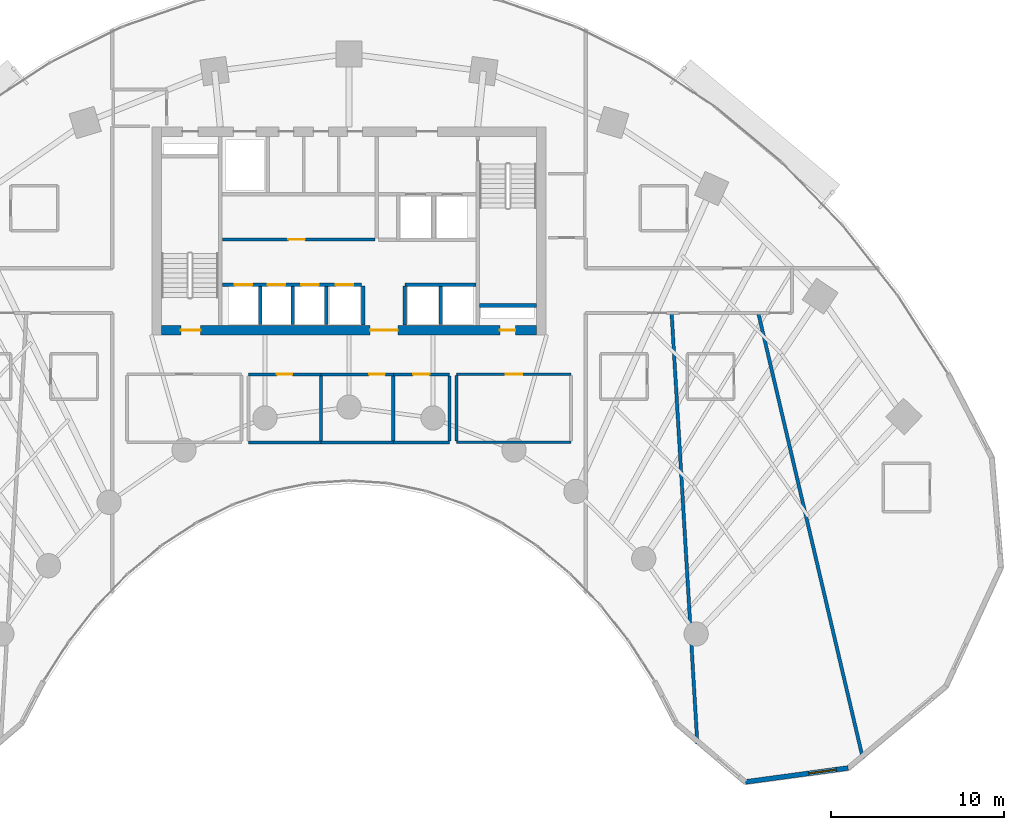
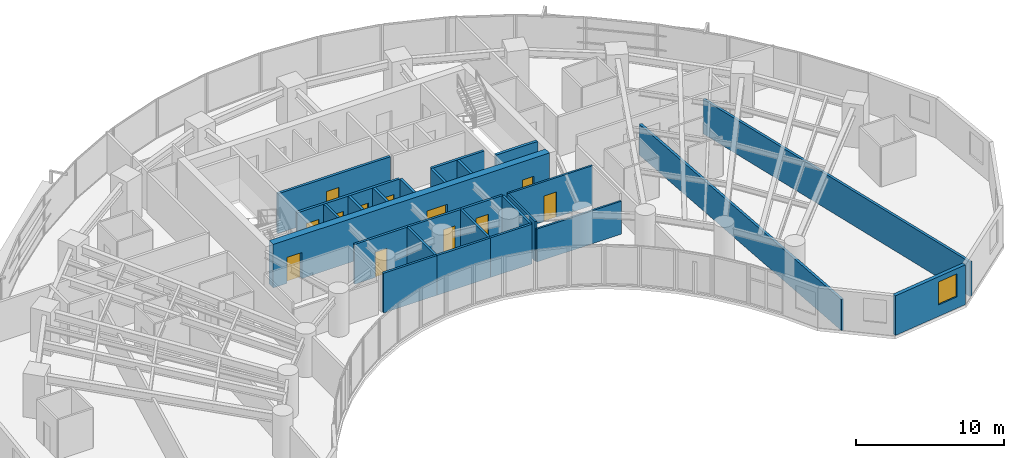
# One storey, part 12 of 17: 26 walls, 12 doors, 1 window, 13 openings.
"""IFC4 building model written with IfcOpenShell, lengths in metres."""

from ifc_helpers import new_model, si_unit, direction, frame, frame_2d, origin, place, context, subcontext, project, spatial, rectangle, extrude, source, transform, mapped, material, layer, layer_set, type_object, type_shapes, element, fill, save


model = new_model("IFC4")

# Units and contexts
model_context = context("Model", 3, precision=1e-05, world=origin(), true_north=direction((0.0, 1.0)))
body_context = subcontext(model_context, "Body", "Model", "MODEL_VIEW")
ifc_project = project(units=[si_unit("LENGTHUNIT", "METRE"), si_unit("AREAUNIT", "SQUARE_METRE"), si_unit("VOLUMEUNIT", "CUBIC_METRE"), si_unit("PLANEANGLEUNIT", "RADIAN"), si_unit("MASSUNIT", "GRAM", prefix="KILO")], contexts=[model_context])

# Site, building, storey
site_placement = place(None, origin())
site = spatial("IfcSite", under=ifc_project, at=site_placement, CompositionType="ELEMENT")
building_placement = place(site_placement, origin())
building = spatial("IfcBuilding", under=site, at=building_placement, Name="Breltana Convention Tower", CompositionType="ELEMENT")
storey_placement = place(building_placement, frame((0.0, 0.0, 82.199951171875)))
storey = spatial("IfcBuildingStorey", under=building, at=storey_placement, Name="L19", CompositionType="ELEMENT", Elevation=82.199951171875)

# Wall, openings, doors
ifc_material_1 = material(Name="Concrete C60/75", Category="concrete")
ifc_layer_1 = layer(ifc_material_1, 0.550048828125, Name="Concrete C60/75")
ifc_layer_set_1 = layer_set([ifc_layer_1], Name="Concrete C60/75")
wall_type_1 = type_object("IfcWallType", Name="SW-CORE-550", PredefinedType="SHEAR", material=ifc_layer_set_1)
shared_shape_1 = source(origin(), body_context, "Body", "SweptSolid", [
    extrude(rectangle(XDim=21.60009765625, YDim=0.550048828125, at=frame_2d((10.800048828125, 0.0))), origin(), (0.0, 0.0, 1.0), 3.60009765625),
])
wall_1_placement = place(storey_placement, frame((37.199951171875, 60.47509765625, 0.0), z_axis=(0.0, 0.0, 1.0), x_axis=(1.0, 0.0, 0.0)))
wall_1 = element("IfcWall", 1, at=wall_1_placement, inside=storey, type_object=wall_type_1, Name="L19 South Core Shear Wall", PredefinedType="SHEAR", context=body_context, shape_type="MappedRepresentation", body=[
    mapped(shared_shape_1, transform((0.0, 0.0, 0.0), scale=1.0)),
])
opening_1_placement = place(wall_1_placement, frame((1.10009765625, 0.0, 0.0)))
opening_1 = element("IfcOpeningElement", 2, at=opening_1_placement, cuts=wall_1, Name="Opening D-11", PredefinedType="OPENING", context=body_context, shape_type="SweptSolid", body=[
    extrude(rectangle(XDim=1.14990234375, YDim=2.14990234375, at=frame_2d((0.574951171875, 1.074951171875))), frame((0.0, 0.28515625, 0.0), z_axis=(0.0, -1.0, 0.0), x_axis=(1.0, 0.0, 0.0)), (0.0, 0.0, 1.0), 0.570068359375),
])
opening_2_placement = place(wall_1_placement, frame((19.5, 0.0, 0.0)))
opening_2 = element("IfcOpeningElement", 3, at=opening_2_placement, cuts=wall_1, Name="Opening D-18", PredefinedType="OPENING", context=body_context, shape_type="SweptSolid", body=[
    extrude(rectangle(XDim=0.89990234375, YDim=2.10009765625, at=frame_2d((0.449951171875, 1.050048828125))), frame((0.0, 0.28515625, 0.0), z_axis=(0.0, -1.0, 0.0), x_axis=(1.0, 0.0, 0.0)), (0.0, 0.0, 1.0), 0.570068359375),
])
opening_3_placement = place(wall_1_placement, frame((12.02001953125, 0.0, 0.0)))
opening_3 = element("IfcOpeningElement", 4, at=opening_3_placement, cuts=wall_1, Name="Opening D-02", PredefinedType="OPENING", context=body_context, shape_type="SweptSolid", body=[
    extrude(rectangle(XDim=1.60009765625, YDim=2.14990234375, at=frame_2d((0.800048828125, 1.074951171875))), frame((0.0, 0.28515625, 0.0), z_axis=(0.0, -1.0, 0.0), x_axis=(1.0, 0.0, 0.0)), (0.0, 0.0, 1.0), 0.570068359375),
])
ifc_material_2 = material(Name="Steel Stair Exit Door", Category="steel")
door_type_1 = type_object("IfcDoorType", Name="DR-FD120-1150", OperationType="NOTDEFINED", PredefinedType="DOOR", material=ifc_material_2)
shared_shape_2 = source(origin(), body_context, "Body", "SweptSolid", [
    extrude(rectangle(XDim=1.14990234375, YDim=2.14990234375, at=frame_2d((0.574951171875, 1.074951171875))), frame((0.0, 0.02490234375, 0.0), z_axis=(0.0, -1.0, 0.0), x_axis=(1.0, 0.0, 0.0)), (0.0, 0.0, 1.0), 0.050048828125),
])
type_shapes(door_type_1, [shared_shape_2])
door_1_placement = place(opening_1_placement, origin())
door_1 = element("IfcDoor", 5, at=door_1_placement, inside=storey, type_object=door_type_1, Name="L19 interior door D-L19-ST1", OperationType="SINGLE_SWING_LEFT", OverallHeight=2.14990234375, OverallWidth=1.14990234375, PredefinedType="DOOR", context=body_context, shape_type="MappedRepresentation", body=[
    mapped(shared_shape_2, transform((0.0, 0.0, 0.0), scale=1.0)),
])
fill(opening_1, door_1)
ifc_material_3 = material(Name="Steel Riser Fire Door", Category="steel")
door_type_2 = type_object("IfcDoorType", Name="DR-FD60-900", OperationType="NOTDEFINED", PredefinedType="DOOR", material=ifc_material_3)
shared_shape_3 = source(origin(), body_context, "Body", "SweptSolid", [
    extrude(rectangle(XDim=0.89990234375, YDim=2.10009765625, at=frame_2d((0.449951171875, 1.050048828125))), frame((0.0, 0.02490234375, 0.0), z_axis=(0.0, -1.0, 0.0), x_axis=(1.0, 0.0, 0.0)), (0.0, 0.0, 1.0), 0.050048828125),
])
type_shapes(door_type_2, [shared_shape_3])
door_2_placement = place(opening_2_placement, origin())
door_2 = element("IfcDoor", 6, at=door_2_placement, inside=storey, type_object=door_type_2, Name="L19 Core Riser Access Door D-L19-RS2", OperationType="SINGLE_SWING_RIGHT", OverallHeight=2.10009765625, OverallWidth=0.89990234375, PredefinedType="DOOR", context=body_context, shape_type="MappedRepresentation", body=[
    mapped(shared_shape_3, transform((0.0, 0.0, 0.0), scale=1.0)),
])
fill(opening_2, door_2)
ifc_material_4 = material(Name="Steel Glazed Smoke-Control Door", Category="steel")
door_type_3 = type_object("IfcDoorType", Name="DR-DBL-FD90-1600", OperationType="DOUBLE_DOOR_SINGLE_SWING", PredefinedType="DOOR", material=ifc_material_4)
shared_shape_4 = source(origin(), body_context, "Body", "SweptSolid", [
    extrude(rectangle(XDim=1.60009765625, YDim=2.14990234375, at=frame_2d((0.800048828125, 1.074951171875))), frame((0.0, 0.02490234375, 0.0), z_axis=(0.0, -1.0, 0.0), x_axis=(1.0, 0.0, 0.0)), (0.0, 0.0, 1.0), 0.050048828125),
])
type_shapes(door_type_3, [shared_shape_4])
door_3_placement = place(opening_3_placement, origin())
door_3 = element("IfcDoor", 7, at=door_3_placement, inside=storey, type_object=door_type_3, Name="L19 interior door D-L19-LLB-S", OperationType="DOUBLE_DOOR_SINGLE_SWING", OverallHeight=2.14990234375, OverallWidth=1.60009765625, PredefinedType="DOOR", context=body_context, shape_type="MappedRepresentation", body=[
    mapped(shared_shape_4, transform((0.0, 0.0, 0.0), scale=1.0)),
])
fill(opening_3, door_3)

# Wall
ifc_material_5 = material(Name="Concrete C50/60", Category="concrete")
ifc_layer_2 = layer(ifc_material_5, 0.39990234375, Name="Concrete C50/60")
ifc_layer_set_2 = layer_set([ifc_layer_2], Name="Concrete C50/60")
wall_type_2 = type_object("IfcWallType", Name="SW-CORE-400", PredefinedType="SHEAR", material=ifc_layer_set_2)
shared_shape_5 = source(origin(), body_context, "Body", "SweptSolid", [
    extrude(rectangle(XDim=3.27001953125, YDim=0.219970703125, at=frame_2d((1.635009765625, 0.0))), origin(), (0.0, 0.0, 1.0), 3.60009765625),
])
wall_2_placement = place(storey_placement, frame((55.530029296875, 61.889892578125, 0.0), z_axis=(0.0, 0.0, 1.0), x_axis=(1.0, 0.0, 0.0)))
element("IfcWall", 8, at=wall_2_placement, inside=storey, type_object=wall_type_2, Name="L19 ST-2 Stairwell South Bearing Wall", PredefinedType="SHEAR", context=body_context, shape_type="MappedRepresentation", body=[
    mapped(shared_shape_5, transform((0.0, 0.0, 0.0), scale=1.0)),
])

# Wall, opening, window
ifc_material_6 = material(Name="Limestone Buff Insulated Wall", Category="masonry")
ifc_layer_3 = layer(ifc_material_6, 0.280029296875, Name="Limestone Buff Insulated Wall")
ifc_layer_set_3 = layer_set([ifc_layer_3], Name="Limestone Buff Insulated Wall")
wall_type_3 = type_object("IfcWallType", Name="WL-EXT-NOSE-280", PredefinedType="SOLIDWALL", material=ifc_layer_set_3)
shared_shape_6 = source(origin(), body_context, "Body", "SweptSolid", [
    extrude(rectangle(XDim=5.96728515625, YDim=0.280029296875, at=frame_2d((2.983642578125, 0.0))), origin(), (0.0, 0.0, 1.0), 3.280029296875),
])
wall_3_placement = place(storey_placement, frame((76.77734375, 35.226806640625, 0.0), z_axis=(0.0, 0.0, 1.0), x_axis=(-0.990927009341, -0.134401124099, 0.0)))
wall_3 = element("IfcWall", 9, at=wall_3_placement, inside=storey, type_object=wall_type_3, Name="L19 curved limestone nose wall E4", PredefinedType="SOLIDWALL", context=body_context, shape_type="MappedRepresentation", body=[
    mapped(shared_shape_6, transform((0.0, 0.0, 0.0), scale=1.0)),
])
opening_4_placement = place(wall_3_placement, frame((0.69189453125, 0.0, 0.949951171875)))
opening_4 = element("IfcOpeningElement", 10, at=opening_4_placement, cuts=wall_3, Name="Opening W-04", PredefinedType="OPENING", context=body_context, shape_type="SweptSolid", body=[
    extrude(rectangle(XDim=1.60009765625, YDim=1.89990234375, at=frame_2d((0.800048828125, 0.949951171875))), frame((0.0, 0.14990234375, 0.0), z_axis=(0.0, -1.0, 0.0), x_axis=(1.0, 0.0, 0.0)), (0.0, 0.0, 1.0), 0.300048828125),
])
ifc_material_7 = material(Name="Glass Low-E Insulated Window", Category="glass")
window_type = type_object("IfcWindowType", Name="WN-NOSE-1600X1900", PartitioningType="SINGLE_PANEL", PredefinedType="WINDOW", material=ifc_material_7)
shared_shape_7 = source(origin(), body_context, "Body", "SweptSolid", [
    extrude(rectangle(XDim=1.60009765625, YDim=1.89990234375, at=frame_2d((0.800048828125, 0.949951171875))), frame((0.0, 0.030029296875, 0.0), z_axis=(0.0, -1.0, 0.0), x_axis=(1.0, 0.0, 0.0)), (0.0, 0.0, 1.0), 0.06005859375),
])
type_shapes(window_type, [shared_shape_7])
window_placement = place(opening_4_placement, origin())
window = element("IfcWindow", 11, at=window_placement, inside=storey, type_object=window_type, Name="L19 nose window E4", OverallHeight=1.89990234375, OverallWidth=1.60009765625, PartitioningType="SINGLE_PANEL", PredefinedType="WINDOW", context=body_context, shape_type="MappedRepresentation", body=[
    mapped(shared_shape_7, transform((0.0, 0.0, 0.0), scale=1.0)),
])
fill(opening_4, window)

# Walls
ifc_material_8 = material(Name="Autoclaved Aerated Concrete Block", Category="concrete")
ifc_layer_4 = layer(ifc_material_8, 0.199951171875, Name="Autoclaved Aerated Concrete Block")
ifc_layer_set_4 = layer_set([ifc_layer_4], Name="Autoclaved Aerated Concrete Block")
wall_type_4 = type_object("IfcWallType", Name="WL-SHAFT-200", PredefinedType="SOLIDWALL", material=ifc_layer_set_4)
shared_shape_8 = source(origin(), body_context, "Body", "SweptSolid", [
    extrude(rectangle(XDim=2.239990234375, YDim=0.199951171875, at=frame_2d((1.1201171875, 0.0))), origin(), (0.0, 0.0, 1.0), 3.280029296875),
])
for number, where, z_axis, x_axis, name in (
    (12, (48.820068359375, 60.780029296875, 0.0), (0.0, 0.0, 1.0), (0.0, 1.0, 0.0), "L19 interior partition W-L19-PORT-W"),
    (13, (51.219970703125, 60.780029296875, 0.0), (0.0, 0.0, 1.0), (0.0, 1.0, 0.0), "L19 interior partition W-L19-PORT-E"),
):
    element("IfcWall", number, at=place(storey_placement, frame(where, z_axis=z_axis, x_axis=x_axis)), inside=storey, type_object=wall_type_4, Name=name, PredefinedType="SOLIDWALL", context=body_context, shape_type="MappedRepresentation", body=[
        mapped(shared_shape_8, transform((0.0, 0.0, 0.0), scale=1.0)),
    ])

# Wall, opening, door
shared_shape_9 = source(origin(), body_context, "Body", "SweptSolid", [
    extrude(rectangle(XDim=8.800048828125, YDim=0.199951171875, at=frame_2d((4.39990234375, 0.0))), origin(), (0.0, 0.0, 1.0), 3.280029296875),
])
wall_4_placement = place(storey_placement, frame((40.699951171875, 65.699951171875, 0.0), z_axis=(0.0, 0.0, 1.0), x_axis=(1.0, 0.0, 0.0)))
wall_4 = element("IfcWall", 14, at=wall_4_placement, inside=storey, type_object=wall_type_4, Name="L19 interior partition W-L19-SH-M-FRONT", PredefinedType="SOLIDWALL", context=body_context, shape_type="MappedRepresentation", body=[
    mapped(shared_shape_9, transform((0.0, 0.0, 0.0), scale=1.0)),
])
opening_5_placement = place(wall_4_placement, frame((3.800048828125, 0.0, 0.0)))
opening_5 = element("IfcOpeningElement", 15, at=opening_5_placement, cuts=wall_4, Name="Opening D-14", PredefinedType="OPENING", context=body_context, shape_type="SweptSolid", body=[
    extrude(rectangle(XDim=0.949951171875, YDim=2.14990234375, at=frame_2d((0.47509765625, 1.074951171875))), frame((0.0, 0.10986328125, 0.0), z_axis=(0.0, -1.0, 0.0), x_axis=(1.0, 0.0, 0.0)), (0.0, 0.0, 1.0), 0.219970703125),
])
ifc_material_9 = material(Name="Timber Solid-Core Fire Door", Category="wood")
door_type_4 = type_object("IfcDoorType", Name="DR-FD60-950", OperationType="NOTDEFINED", PredefinedType="DOOR", material=ifc_material_9)
shared_shape_10 = source(origin(), body_context, "Body", "SweptSolid", [
    extrude(rectangle(XDim=0.949951171875, YDim=2.14990234375, at=frame_2d((0.47509765625, 1.074951171875))), frame((0.0, 0.02490234375, 0.0), z_axis=(0.0, -1.0, 0.0), x_axis=(1.0, 0.0, 0.0)), (0.0, 0.0, 1.0), 0.050048828125),
])
type_shapes(door_type_4, [shared_shape_10])
door_4_placement = place(opening_5_placement, origin())
door_4 = element("IfcDoor", 16, at=door_4_placement, inside=storey, type_object=door_type_4, Name="L19 interior door D-L19-LV7-B2A", OperationType="SINGLE_SWING_RIGHT", OverallHeight=2.14990234375, OverallWidth=0.949951171875, PredefinedType="DOOR", context=body_context, shape_type="MappedRepresentation", body=[
    mapped(shared_shape_10, transform((0.0, 0.0, 0.0), scale=1.0)),
])
fill(opening_5, door_4)

# Wall, openings, doors
shared_shape_11 = source(origin(), body_context, "Body", "SweptSolid", [
    extrude(rectangle(XDim=8.02001953125, YDim=0.199951171875, at=frame_2d((4.010009765625, 0.0))), origin(), (0.0, 0.0, 1.0), 3.280029296875),
])
wall_5_placement = place(storey_placement, frame((40.699951171875, 63.10009765625, 0.0), z_axis=(0.0, 0.0, 1.0), x_axis=(1.0, 0.0, 0.0)))
wall_5 = element("IfcWall", 17, at=wall_5_placement, inside=storey, type_object=wall_type_4, Name="L19 interior partition W-L19-SH-S-FRONT", PredefinedType="SOLIDWALL", context=body_context, shape_type="MappedRepresentation", body=[
    mapped(shared_shape_11, transform((0.0, 0.0, 0.0), scale=1.0)),
])
opening_6_placement = place(wall_5_placement, frame((0.719970703125, 0.0, 0.0)))
opening_6 = element("IfcOpeningElement", 18, at=opening_6_placement, cuts=wall_5, Name="Opening LD-04", PredefinedType="OPENING", context=body_context, shape_type="SweptSolid", body=[
    extrude(rectangle(XDim=1.0, YDim=2.14990234375, at=frame_2d((0.5, 1.074951171875))), frame((0.0, 0.10986328125, 0.0), z_axis=(0.0, -1.0, 0.0), x_axis=(1.0, 0.0, 0.0)), (0.0, 0.0, 1.0), 0.219970703125),
])
opening_7_placement = place(wall_5_placement, frame((2.6201171875, 0.0, 0.0)))
opening_7 = element("IfcOpeningElement", 19, at=opening_7_placement, cuts=wall_5, Name="Opening LD-04", PredefinedType="OPENING", context=body_context, shape_type="SweptSolid", body=[
    extrude(rectangle(XDim=1.0, YDim=2.14990234375, at=frame_2d((0.5, 1.074951171875))), frame((0.0, 0.10986328125, 0.0), z_axis=(0.0, -1.0, 0.0), x_axis=(1.0, 0.0, 0.0)), (0.0, 0.0, 1.0), 0.219970703125),
])
opening_8_placement = place(wall_5_placement, frame((4.550048828125, 0.0, 0.0)))
opening_8 = element("IfcOpeningElement", 20, at=opening_8_placement, cuts=wall_5, Name="Opening LD-04", PredefinedType="OPENING", context=body_context, shape_type="SweptSolid", body=[
    extrude(rectangle(XDim=1.0, YDim=2.14990234375, at=frame_2d((0.5, 1.074951171875))), frame((0.0, 0.10986328125, 0.0), z_axis=(0.0, -1.0, 0.0), x_axis=(1.0, 0.0, 0.0)), (0.0, 0.0, 1.0), 0.219970703125),
])
opening_9_placement = place(wall_5_placement, frame((6.550048828125, 0.0, 0.0)))
opening_9 = element("IfcOpeningElement", 21, at=opening_9_placement, cuts=wall_5, Name="Opening LD-04", PredefinedType="OPENING", context=body_context, shape_type="SweptSolid", body=[
    extrude(rectangle(XDim=1.0, YDim=2.14990234375, at=frame_2d((0.5, 1.074951171875))), frame((0.0, 0.10986328125, 0.0), z_axis=(0.0, -1.0, 0.0), x_axis=(1.0, 0.0, 0.0)), (0.0, 0.0, 1.0), 0.219970703125),
])
ifc_material_10 = material(Name="Stainless Steel Brushed", Category="steel")
door_type_5 = type_object("IfcDoorType", Name="DR-LD-PAX-1000", OperationType="DOUBLE_DOOR_SLIDING", PredefinedType="DOOR", material=ifc_material_10)
shared_shape_12 = source(origin(), body_context, "Body", "SweptSolid", [
    extrude(rectangle(XDim=1.0, YDim=2.14990234375, at=frame_2d((0.5, 1.074951171875))), frame((0.0, 0.02490234375, 0.0), z_axis=(0.0, -1.0, 0.0), x_axis=(1.0, 0.0, 0.0)), (0.0, 0.0, 1.0), 0.050048828125),
])
type_shapes(door_type_5, [shared_shape_12])
door_5_placement = place(opening_6_placement, origin())
door_5 = element("IfcDoor", 22, at=door_5_placement, inside=storey, type_object=door_type_5, Name="L19 Lift Landing Door D-L19-LD-S1", OperationType="DOUBLE_DOOR_SLIDING", OverallHeight=2.14990234375, OverallWidth=1.0, PredefinedType="DOOR", context=body_context, shape_type="MappedRepresentation", body=[
    mapped(shared_shape_12, transform((0.0, 0.0, 0.0), scale=1.0)),
])
fill(opening_6, door_5)
door_6_placement = place(opening_7_placement, origin())
door_6 = element("IfcDoor", 23, at=door_6_placement, inside=storey, type_object=door_type_5, Name="L19 Lift Landing Door D-L19-LD-S2", OperationType="DOUBLE_DOOR_SLIDING", OverallHeight=2.14990234375, OverallWidth=1.0, PredefinedType="DOOR", context=body_context, shape_type="MappedRepresentation", body=[
    mapped(shared_shape_12, transform((0.0, 0.0, 0.0), scale=1.0)),
])
fill(opening_7, door_6)
door_7_placement = place(opening_8_placement, origin())
door_7 = element("IfcDoor", 24, at=door_7_placement, inside=storey, type_object=door_type_5, Name="L19 Lift Landing Door D-L19-LD-S3", OperationType="DOUBLE_DOOR_SLIDING", OverallHeight=2.14990234375, OverallWidth=1.0, PredefinedType="DOOR", context=body_context, shape_type="MappedRepresentation", body=[
    mapped(shared_shape_12, transform((0.0, 0.0, 0.0), scale=1.0)),
])
fill(opening_8, door_7)
door_8_placement = place(opening_9_placement, origin())
door_8 = element("IfcDoor", 25, at=door_8_placement, inside=storey, type_object=door_type_5, Name="L19 Lift Landing Door D-L19-LD-S4", OperationType="DOUBLE_DOOR_SLIDING", OverallHeight=2.14990234375, OverallWidth=1.0, PredefinedType="DOOR", context=body_context, shape_type="MappedRepresentation", body=[
    mapped(shared_shape_12, transform((0.0, 0.0, 0.0), scale=1.0)),
])
fill(opening_9, door_8)

# Walls
shared_shape_13 = source(origin(), body_context, "Body", "SweptSolid", [
    extrude(rectangle(XDim=4.10009765625, YDim=0.199951171875, at=frame_2d((2.050048828125, 0.0))), origin(), (0.0, 0.0, 1.0), 3.280029296875),
])
wall_6_placement = place(storey_placement, frame((51.219970703125, 63.10009765625, 0.0), z_axis=(0.0, 0.0, 1.0), x_axis=(1.0, 0.0, 0.0)))
element("IfcWall", 26, at=wall_6_placement, inside=storey, type_object=wall_type_4, Name="L19 interior partition W-L19-SH-X-FRONT", PredefinedType="SOLIDWALL", context=body_context, shape_type="MappedRepresentation", body=[
    mapped(shared_shape_13, transform((0.0, 0.0, 0.0), scale=1.0)),
])
shared_shape_14 = source(origin(), body_context, "Body", "SweptSolid", [
    extrude(rectangle(XDim=2.199951171875, YDim=0.199951171875, at=frame_2d((1.10009765625, 0.0))), origin(), (0.0, 0.0, 1.0), 3.280029296875),
])
for number, where, z_axis, x_axis, name in (
    (27, (42.8701171875, 60.800048828125, 0.0), (0.0, 0.0, 1.0), (0.0, 1.0, 0.0), "L19 interior partition W-L19-SH-S-DIV1"),
    (28, (44.77001953125, 60.800048828125, 0.0), (0.0, 0.0, 1.0), (0.0, 1.0, 0.0), "L19 interior partition W-L19-SH-S-DIV2"),
    (29, (46.699951171875, 60.800048828125, 0.0), (0.0, 0.0, 1.0), (0.0, 1.0, 0.0), "L19 interior partition W-L19-SH-S-DIV3"),
    (30, (53.280029296875, 60.800048828125, 0.0), (0.0, 0.0, 1.0), (0.0, 1.0, 0.0), "L19 interior partition W-L19-SH-X-DIV"),
):
    element("IfcWall", number, at=place(storey_placement, frame(where, z_axis=z_axis, x_axis=x_axis)), inside=storey, type_object=wall_type_4, Name=name, PredefinedType="SOLIDWALL", context=body_context, shape_type="MappedRepresentation", body=[
        mapped(shared_shape_14, transform((0.0, 0.0, 0.0), scale=1.0)),
    ])
ifc_material_11 = material(Name="Gypsum Acoustic Drywall Partition")
ifc_layer_5 = layer(ifc_material_11, 0.14990234375, Name="Gypsum Acoustic Drywall Partition")
ifc_layer_set_5 = layer_set([ifc_layer_5], Name="Gypsum Acoustic Drywall Partition")
wall_type_5 = type_object("IfcWallType", Name="WL-PART-150", PredefinedType="PARTITIONING", material=ifc_layer_set_5)
shared_shape_15 = source(origin(), body_context, "Body", "SweptSolid", [
    extrude(rectangle(XDim=6.60009765625, YDim=0.14990234375, at=frame_2d((3.300048828125, 0.0))), origin(), (0.0, 0.0, 1.0), 2.72314453125),
])
wall_7_placement = place(storey_placement, frame((54.199951171875, 54.0, 0.0), z_axis=(0.0, 0.0, 1.0), x_axis=(1.0, 0.0, 0.0)))
element("IfcWall", 31, at=wall_7_placement, inside=storey, type_object=wall_type_5, Name="L19 interior partition W-L19-HMT-S", PredefinedType="PARTITIONING", context=body_context, shape_type="MappedRepresentation", body=[
    mapped(shared_shape_15, transform((0.0, 0.0, 0.0), scale=1.0)),
])

# Wall, opening, door
shared_shape_16 = source(origin(), body_context, "Body", "SweptSolid", [
    extrude(rectangle(XDim=6.60009765625, YDim=0.14990234375, at=frame_2d((3.300048828125, 0.0))), origin(), (0.0, 0.0, 1.0), 3.280029296875),
])
wall_8_placement = place(storey_placement, frame((54.199951171875, 57.919921875, 0.0), z_axis=(0.0, 0.0, 1.0), x_axis=(1.0, 0.0, 0.0)))
wall_8 = element("IfcWall", 32, at=wall_8_placement, inside=storey, type_object=wall_type_5, Name="L19 interior partition W-L19-HMT-N", PredefinedType="PARTITIONING", context=body_context, shape_type="MappedRepresentation", body=[
    mapped(shared_shape_16, transform((0.0, 0.0, 0.0), scale=1.0)),
])
opening_10_placement = place(wall_8_placement, frame((2.824951171875, 0.0, 0.0)))
opening_10 = element("IfcOpeningElement", 33, at=opening_10_placement, cuts=wall_8, Name="Opening D-17", PredefinedType="OPENING", context=body_context, shape_type="SweptSolid", body=[
    extrude(rectangle(XDim=0.949951171875, YDim=2.10009765625, at=frame_2d((0.47509765625, 1.050048828125))), frame((0.0, 0.0849609375, 0.0), z_axis=(0.0, -1.0, 0.0), x_axis=(1.0, 0.0, 0.0)), (0.0, 0.0, 1.0), 0.169921875),
])
ifc_material_12 = material(Name="Timber Oak Veneer Door", Category="wood")
door_type_6 = type_object("IfcDoorType", Name="DR-INT-950", OperationType="NOTDEFINED", PredefinedType="DOOR", material=ifc_material_12)
shared_shape_17 = source(origin(), body_context, "Body", "SweptSolid", [
    extrude(rectangle(XDim=0.949951171875, YDim=2.10009765625, at=frame_2d((0.47509765625, 1.050048828125))), frame((0.0, 0.02490234375, 0.0), z_axis=(0.0, -1.0, 0.0), x_axis=(1.0, 0.0, 0.0)), (0.0, 0.0, 1.0), 0.050048828125),
])
type_shapes(door_type_6, [shared_shape_17])
door_9_placement = place(opening_10_placement, origin())
door_9 = element("IfcDoor", 34, at=door_9_placement, inside=storey, type_object=door_type_6, Name="L19 interior door D-L19-HMT", OperationType="SINGLE_SWING_LEFT", OverallHeight=2.10009765625, OverallWidth=0.949951171875, PredefinedType="DOOR", context=body_context, shape_type="MappedRepresentation", body=[
    mapped(shared_shape_17, transform((0.0, 0.0, 0.0), scale=1.0)),
])
fill(opening_10, door_9)

# Walls
shared_shape_18 = source(origin(), body_context, "Body", "SweptSolid", [
    extrude(rectangle(XDim=3.78515625, YDim=0.14990234375, at=frame_2d((1.892578125, 0.0))), origin(), (0.0, 0.0, 1.0), 3.280029296875),
])
wall_9_placement = place(storey_placement, frame((54.199951171875, 54.0673828125, 0.0), z_axis=(0.0, 0.0, 1.0), x_axis=(0.0, 1.0, 0.0)))
element("IfcWall", 35, at=wall_9_placement, inside=storey, type_object=wall_type_5, Name="L19 interior partition W-L19-HMT-W", PredefinedType="PARTITIONING", context=body_context, shape_type="MappedRepresentation", body=[
    mapped(shared_shape_18, transform((0.0, 0.0, 0.0), scale=1.0)),
])
ifc_material_13 = material(Name="Cement Board Wet-Area Partition")
ifc_layer_6 = layer(ifc_material_13, 0.175048828125, Name="Cement Board Wet-Area Partition")
ifc_layer_set_6 = layer_set([ifc_layer_6], Name="Cement Board Wet-Area Partition")
wall_type_6 = type_object("IfcWallType", Name="WL-WET-175", PredefinedType="PARTITIONING", material=ifc_layer_set_6)
shared_shape_19 = source(origin(), body_context, "Body", "SweptSolid", [
    extrude(rectangle(XDim=4.176025390625, YDim=0.175048828125, at=frame_2d((2.087890625, 0.0))), origin(), (0.0, 0.0, 1.0), 3.280029296875),
])
for number, where, z_axis, x_axis, name in (
    (36, (42.199951171875, 54.0, 0.0), (0.0, 0.0, 1.0), (1.0, 0.0, 0.0), "L19 interior partition W-L19-WCM-S"),
    (37, (46.3759765625, 54.0, 0.0), (0.0, 0.0, 1.0), (1.0, 0.0, 0.0), "L19 interior partition W-L19-WCF-S"),
):
    element("IfcWall", number, at=place(storey_placement, frame(where, z_axis=z_axis, x_axis=x_axis)), inside=storey, type_object=wall_type_6, Name=name, PredefinedType="PARTITIONING", context=body_context, shape_type="MappedRepresentation", body=[
        mapped(shared_shape_19, transform((0.0, 0.0, 0.0), scale=1.0)),
    ])

# Wall, opening, door
ifc_material_14 = material(Name="Moisture-Resistant Gypsum Chase Wall")
ifc_layer_7 = layer(ifc_material_14, 0.179931640625, Name="Moisture-Resistant Gypsum Chase Wall")
ifc_layer_set_7 = layer_set([ifc_layer_7], Name="Moisture-Resistant Gypsum Chase Wall")
wall_type_7 = type_object("IfcWallType", Name="WL-PLUMB-180", PredefinedType="PLUMBINGWALL", material=ifc_layer_set_7)
shared_shape_20 = source(origin(), body_context, "Body", "SweptSolid", [
    extrude(rectangle(XDim=4.176025390625, YDim=0.179931640625, at=frame_2d((2.087890625, 0.0))), origin(), (0.0, 0.0, 1.0), 3.280029296875),
])
wall_10_placement = place(storey_placement, frame((42.199951171875, 57.919921875, 0.0), z_axis=(0.0, 0.0, 1.0), x_axis=(1.0, 0.0, 0.0)))
wall_10 = element("IfcWall", 38, at=wall_10_placement, inside=storey, type_object=wall_type_7, Name="L19 interior partition W-L19-WCM-N", PredefinedType="PLUMBINGWALL", context=body_context, shape_type="MappedRepresentation", body=[
    mapped(shared_shape_20, transform((0.0, 0.0, 0.0), scale=1.0)),
])
opening_11_placement = place(wall_10_placement, frame((1.637939453125, 0.0, 0.0)))
opening_11 = element("IfcOpeningElement", 39, at=opening_11_placement, cuts=wall_10, Name="Opening D-19", PredefinedType="OPENING", context=body_context, shape_type="SweptSolid", body=[
    extrude(rectangle(XDim=0.89990234375, YDim=2.080078125, at=frame_2d((0.449951171875, 1.0400390625))), frame((0.0, 0.10009765625, 0.0), z_axis=(0.0, -1.0, 0.0), x_axis=(1.0, 0.0, 0.0)), (0.0, 0.0, 1.0), 0.199951171875),
])
ifc_material_15 = material(Name="Timber Moisture-Resistant Door", Category="wood")
door_type_7 = type_object("IfcDoorType", Name="DR-WC-900", OperationType="NOTDEFINED", PredefinedType="DOOR", material=ifc_material_15)
shared_shape_21 = source(origin(), body_context, "Body", "SweptSolid", [
    extrude(rectangle(XDim=0.89990234375, YDim=2.080078125, at=frame_2d((0.449951171875, 1.0400390625))), frame((0.0, 0.02490234375, 0.0), z_axis=(0.0, -1.0, 0.0), x_axis=(1.0, 0.0, 0.0)), (0.0, 0.0, 1.0), 0.050048828125),
])
type_shapes(door_type_7, [shared_shape_21])
door_10_placement = place(opening_11_placement, origin())
door_10 = element("IfcDoor", 40, at=door_10_placement, inside=storey, type_object=door_type_7, Name="L19 interior door D-L19-WCM", OperationType="SINGLE_SWING_RIGHT", OverallHeight=2.080078125, OverallWidth=0.89990234375, PredefinedType="DOOR", context=body_context, shape_type="MappedRepresentation", body=[
    mapped(shared_shape_21, transform((0.0, 0.0, 0.0), scale=1.0)),
])
fill(opening_11, door_10)

wall_11_placement = place(storey_placement, frame((46.3759765625, 57.919921875, 0.0), z_axis=(0.0, 0.0, 1.0), x_axis=(1.0, 0.0, 0.0)))
wall_11 = element("IfcWall", 41, at=wall_11_placement, inside=storey, type_object=wall_type_7, Name="L19 interior partition W-L19-WCF-N", PredefinedType="PLUMBINGWALL", context=body_context, shape_type="MappedRepresentation", body=[
    mapped(shared_shape_20, transform((0.0, 0.0, 0.0), scale=1.0)),
])
opening_12_placement = place(wall_11_placement, frame((2.7880859375, 0.0, 0.0)))
opening_12 = element("IfcOpeningElement", 42, at=opening_12_placement, cuts=wall_11, Name="Opening D-19", PredefinedType="OPENING", context=body_context, shape_type="SweptSolid", body=[
    extrude(rectangle(XDim=0.89990234375, YDim=2.080078125, at=frame_2d((0.449951171875, 1.0400390625))), frame((0.0, 0.10009765625, 0.0), z_axis=(0.0, -1.0, 0.0), x_axis=(1.0, 0.0, 0.0)), (0.0, 0.0, 1.0), 0.199951171875),
])
door_11_placement = place(opening_12_placement, origin())
door_11 = element("IfcDoor", 43, at=door_11_placement, inside=storey, type_object=door_type_7, Name="L19 interior door D-L19-WCF", OperationType="SINGLE_SWING_LEFT", OverallHeight=2.080078125, OverallWidth=0.89990234375, PredefinedType="DOOR", context=body_context, shape_type="MappedRepresentation", body=[
    mapped(shared_shape_21, transform((0.0, 0.0, 0.0), scale=1.0)),
])
fill(opening_12, door_11)

# Walls
shared_shape_22 = source(origin(), body_context, "Body", "SweptSolid", [
    extrude(rectangle(XDim=3.7626953125, YDim=0.175048828125, at=frame_2d((1.88134765625, 0.0))), origin(), (0.0, 0.0, 1.0), 3.280029296875),
])
for number, where, z_axis, x_axis, name in (
    (44, (46.3759765625, 54.07861328125, 0.0), (0.0, 0.0, 1.0), (0.0, 1.0, 0.0), "L19 interior partition W-L19-WCM-E"),
    (45, (50.552001953125, 54.07861328125, 0.0), (0.0, 0.0, 1.0), (0.0, 1.0, 0.0), "L19 interior partition W-L19-WCF-E"),
    (46, (53.800048828125, 54.07861328125, 0.0), (0.0, 0.0, 1.0), (0.0, 1.0, 0.0), "L19 interior partition W-L19-WCA-E"),
):
    element("IfcWall", number, at=place(storey_placement, frame(where, z_axis=z_axis, x_axis=x_axis)), inside=storey, type_object=wall_type_6, Name=name, PredefinedType="PARTITIONING", context=body_context, shape_type="MappedRepresentation", body=[
        mapped(shared_shape_22, transform((0.0, 0.0, 0.0), scale=1.0)),
    ])
shared_shape_23 = source(origin(), body_context, "Body", "SweptSolid", [
    extrude(rectangle(XDim=3.248046875, YDim=0.175048828125, at=frame_2d((1.6240234375, 0.0))), origin(), (0.0, 0.0, 1.0), 3.280029296875),
])
wall_12_placement = place(storey_placement, frame((50.552001953125, 54.0, 0.0), z_axis=(0.0, 0.0, 1.0), x_axis=(1.0, 0.0, 0.0)))
element("IfcWall", 47, at=wall_12_placement, inside=storey, type_object=wall_type_6, Name="L19 interior partition W-L19-WCA-S", PredefinedType="PARTITIONING", context=body_context, shape_type="MappedRepresentation", body=[
    mapped(shared_shape_23, transform((0.0, 0.0, 0.0), scale=1.0)),
])

# Wall, opening, door
shared_shape_24 = source(origin(), body_context, "Body", "SweptSolid", [
    extrude(rectangle(XDim=3.248046875, YDim=0.179931640625, at=frame_2d((1.6240234375, 0.0))), origin(), (0.0, 0.0, 1.0), 3.280029296875),
])
wall_13_placement = place(storey_placement, frame((50.552001953125, 57.919921875, 0.0), z_axis=(0.0, 0.0, 1.0), x_axis=(1.0, 0.0, 0.0)))
wall_13 = element("IfcWall", 48, at=wall_13_placement, inside=storey, type_object=wall_type_7, Name="L19 interior partition W-L19-WCA-N", PredefinedType="PLUMBINGWALL", context=body_context, shape_type="MappedRepresentation", body=[
    mapped(shared_shape_24, transform((0.0, 0.0, 0.0), scale=1.0)),
])
opening_13_placement = place(wall_13_placement, frame((1.14892578125, 0.0, 0.0)))
opening_13 = element("IfcOpeningElement", 49, at=opening_13_placement, cuts=wall_13, Name="Opening D-16", PredefinedType="OPENING", context=body_context, shape_type="SweptSolid", body=[
    extrude(rectangle(XDim=0.949951171875, YDim=2.1201171875, at=frame_2d((0.47509765625, 1.06005859375))), frame((0.0, 0.10009765625, 0.0), z_axis=(0.0, -1.0, 0.0), x_axis=(1.0, 0.0, 0.0)), (0.0, 0.0, 1.0), 0.199951171875),
])
ifc_material_16 = material(Name="Timber Laminate Accessible Door", Category="wood")
door_type_8 = type_object("IfcDoorType", Name="DR-ACC-950", OperationType="NOTDEFINED", PredefinedType="DOOR", material=ifc_material_16)
shared_shape_25 = source(origin(), body_context, "Body", "SweptSolid", [
    extrude(rectangle(XDim=0.949951171875, YDim=2.1201171875, at=frame_2d((0.47509765625, 1.06005859375))), frame((0.0, 0.02490234375, 0.0), z_axis=(0.0, -1.0, 0.0), x_axis=(1.0, 0.0, 0.0)), (0.0, 0.0, 1.0), 0.050048828125),
])
type_shapes(door_type_8, [shared_shape_25])
door_12_placement = place(opening_13_placement, origin())
door_12 = element("IfcDoor", 50, at=door_12_placement, inside=storey, type_object=door_type_8, Name="L19 interior door D-L19-WCA", OperationType="SINGLE_SWING_RIGHT", OverallHeight=2.1201171875, OverallWidth=0.949951171875, PredefinedType="DOOR", context=body_context, shape_type="MappedRepresentation", body=[
    mapped(shared_shape_25, transform((0.0, 0.0, 0.0), scale=1.0)),
])
fill(opening_13, door_12)

# Walls
ifc_material_17 = material(Name="Gypsum Acoustic Hotel Wall")
ifc_layer_8 = layer(ifc_material_17, 0.195068359375, Name="Gypsum Acoustic Hotel Wall")
ifc_layer_set_8 = layer_set([ifc_layer_8], Name="Gypsum Acoustic Hotel Wall")
wall_type_8 = type_object("IfcWallType", Name="WL-HOTEL-200", PredefinedType="PARTITIONING", material=ifc_layer_set_8)
shared_shape_26 = source(origin(), body_context, "Body", "SweptSolid", [
    extrude(rectangle(XDim=24.888671875, YDim=0.195068359375, at=frame_2d((12.4443359375, 0.0))), origin(), (0.0, 0.0, 1.0), 2.56396484375),
])
wall_14_placement = place(storey_placement, frame((68.086181640625, 36.61572265625, 0.0), z_axis=(0.0, 0.0, 1.0), x_axis=(-0.059709317989, 0.998215807, 0.0)))
element("IfcWall", 51, at=wall_14_placement, inside=storey, type_object=wall_type_8, Name="L19 interior partition W-L19-PHES-M1", PredefinedType="PARTITIONING", context=body_context, shape_type="MappedRepresentation", body=[
    mapped(shared_shape_26, transform((0.0, 0.0, 0.0), scale=1.0)),
])
shared_shape_27 = source(origin(), body_context, "Body", "SweptSolid", [
    extrude(rectangle(XDim=26.387451171875, YDim=0.195068359375, at=frame_2d((13.19384765625, 0.0))), origin(), (0.0, 0.0, 1.0), 2.84716796875),
])
wall_15_placement = place(storey_placement, frame((77.62939453125, 35.7705078125, 0.0), z_axis=(0.0, 0.0, 1.0), x_axis=(-0.228490600532, 0.97354611882, 0.0)))
element("IfcWall", 52, at=wall_15_placement, inside=storey, type_object=wall_type_8, Name="L19 interior partition W-L19-PHES-M2", PredefinedType="PARTITIONING", context=body_context, shape_type="MappedRepresentation", body=[
    mapped(shared_shape_27, transform((0.0, 0.0, 0.0), scale=1.0)),
])

save(model, "model.ifc")
